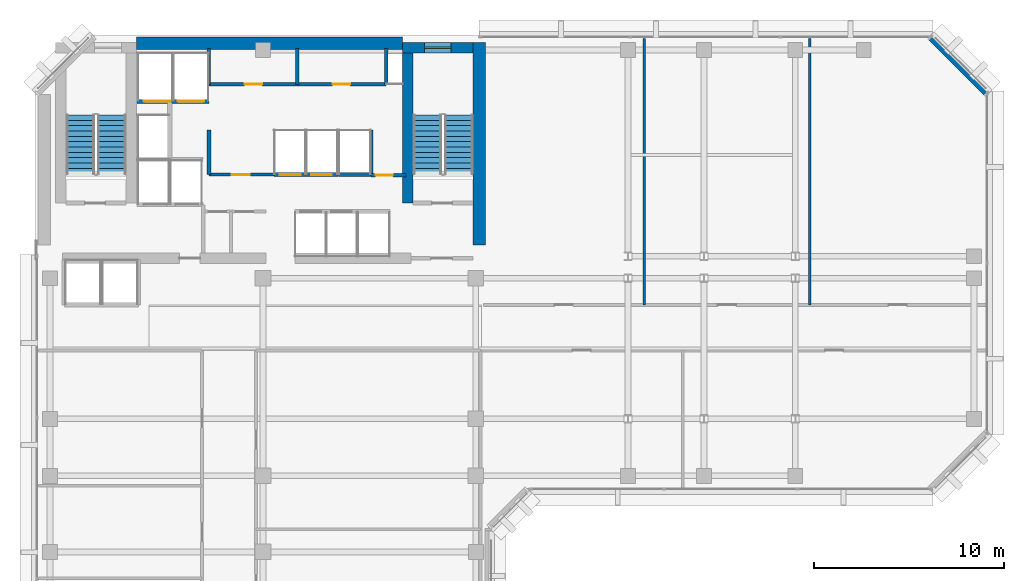
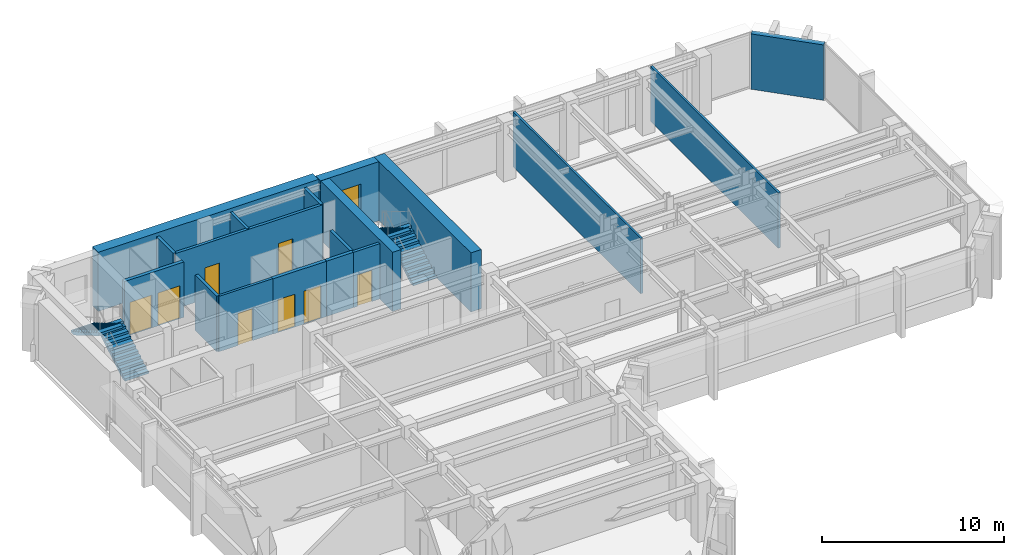
# One storey, part 8 of 12: 18 walls, 8 doors, 4 stair flights, 1 window, 9 openings, 2 elements without a shape of their own.
"""IFC4 building model written with IfcOpenShell, lengths in metres."""

from ifc_helpers import new_model, si_unit, direction, frame, frame_2d, origin, place, context, subcontext, project, spatial, polyline, rectangle, outline, extrude, material, layer, layer_set, type_object, element, fill, aggregate, save


model = new_model("IFC4")

# Units and contexts
model_context = context("Model", 3, precision=1e-05, world=origin(), true_north=direction((0.0, 1.0)))
body_context = subcontext(model_context, "Body", "Model", "MODEL_VIEW")
ifc_project = project(units=[si_unit("LENGTHUNIT", "METRE"), si_unit("AREAUNIT", "SQUARE_METRE"), si_unit("VOLUMEUNIT", "CUBIC_METRE"), si_unit("PLANEANGLEUNIT", "RADIAN"), si_unit("MASSUNIT", "GRAM", prefix="KILO")], contexts=[model_context])

# Site, building, storey
site_placement = place(None, origin())
site = spatial("IfcSite", under=ifc_project, at=site_placement, CompositionType="ELEMENT")
building_placement = place(site_placement, origin())
building = spatial("IfcBuilding", under=site, at=building_placement, Name="Kefirva Bronze Tower", CompositionType="ELEMENT")
storey_placement = place(building_placement, frame((0.0, 0.0, 199.320068359375)))
storey = spatial("IfcBuildingStorey", under=building, at=storey_placement, Name="L48", CompositionType="ELEMENT", Elevation=199.320068359375)

# Walls
ifc_material_1 = material(Name="Gypsum acoustic partition")
ifc_layer_1 = layer(ifc_material_1, 0.1298828125, Name="Gypsum acoustic partition")
ifc_layer_set_1 = layer_set([ifc_layer_1], Name="Gypsum acoustic partition")
wall_type_1 = type_object("IfcWallType", Name="Acoustic Office Partition 130mm", PredefinedType="PARTITIONING", material=ifc_layer_set_1)
for number, where, z_axis, x_axis, name in (
    (1, (32.05126953125, 31.800048828125, 0.0), (0.0, 0.0, 1.0), (0.0, 1.0, 0.0), "L48 Partition W-L48-END1"),
    (2, (40.7666015625, 31.800048828125, 0.0), (0.0, 0.0, 1.0), (0.0, 1.0, 0.0), "L48 Partition W-L48-END2"),
):
    element("IfcWall", number, at=place(storey_placement, frame(where, z_axis=z_axis, x_axis=x_axis)), inside=storey, type_object=wall_type_1, Name=name, PredefinedType="PARTITIONING", context=body_context, shape_type="SweptSolid", body=[
        extrude(rectangle(XDim=14.010009765625, YDim=0.1298828125, at=frame_2d((7.0048828125, 0.0))), origin(), (0.0, 0.0, 1.0), 3.7099609375),
    ])

# Wall, openings, doors
ifc_material_2 = material(Name="Gypsum fireboard shaftwall")
ifc_layer_2 = layer(ifc_material_2, 0.219970703125, Name="Gypsum fireboard shaftwall")
ifc_layer_set_2 = layer_set([ifc_layer_2], Name="Gypsum fireboard shaftwall")
wall_type_2 = type_object("IfcWallType", Name="Fire-Rated Shaft Enclosure Wall 220mm", PredefinedType="PARTITIONING", material=ifc_layer_set_2)
wall_1_placement = place(storey_placement, frame((5.3798828125, 42.5, 0.0), z_axis=(0.0, 0.0, 1.0), x_axis=(1.0, 0.0, 0.0)))
wall_1 = element("IfcWall", 3, at=wall_1_placement, inside=storey, type_object=wall_type_2, Name="L48 Partition W-L48-SVS", PredefinedType="PARTITIONING", context=body_context, shape_type="SweptSolid", body=[
    extrude(rectangle(XDim=3.77001953125, YDim=0.219970703125, at=frame_2d((1.885009765625, 0.0))), origin(), (0.0, 0.0, 1.0), 3.7099609375),
])
opening_1_placement = place(wall_1_placement, frame((1.75, 0.0, 0.0), z_axis=(0.0, 0.0, 1.0), x_axis=(-1.0, 0.0, 0.0)))
opening_1 = element("IfcOpeningElement", 4, at=opening_1_placement, cuts=wall_1, Name="Opening L48-LD-SV1", PredefinedType="OPENING", context=body_context, shape_type="SweptSolid", body=[
    extrude(rectangle(XDim=1.39990234375, YDim=2.199951171875, at=frame_2d((0.699951171875, 1.10009765625))), frame((0.0, 0.1201171875, 0.0), z_axis=(0.0, -1.0, 0.0), x_axis=(1.0, 0.0, 0.0)), (0.0, 0.0, 1.0), 0.239990234375),
])
opening_2_placement = place(wall_1_placement, frame((3.52978515625, 0.0, 0.0), z_axis=(0.0, 0.0, 1.0), x_axis=(-1.0, 0.0, 0.0)))
opening_2 = element("IfcOpeningElement", 5, at=opening_2_placement, cuts=wall_1, Name="Opening L48-LD-SV2", PredefinedType="OPENING", context=body_context, shape_type="SweptSolid", body=[
    extrude(rectangle(XDim=1.39990234375, YDim=2.199951171875, at=frame_2d((0.699951171875, 1.10009765625))), frame((0.0, 0.1201171875, 0.0), z_axis=(0.0, -1.0, 0.0), x_axis=(1.0, 0.0, 0.0)), (0.0, 0.0, 1.0), 0.239990234375),
])
ifc_material_3 = material(Name="Stainless steel 316", Category="steel")
door_type_1 = type_object("IfcDoorType", Name="Goods Lift Bi-Parting Sliding Door 1400x2200", OperationType="SLIDING_TO_LEFT", PredefinedType="DOOR", material=ifc_material_3)
door_1_placement = place(opening_1_placement, origin())
door_1 = element("IfcDoor", 6, at=door_1_placement, inside=storey, type_object=door_type_1, Name="Door L48-LD-SV1", OperationType="SLIDING_TO_LEFT", OverallHeight=2.199951171875, OverallWidth=1.39990234375, PredefinedType="DOOR", context=body_context, shape_type="SweptSolid", body=[
    extrude(rectangle(XDim=1.39990234375, YDim=2.199951171875, at=frame_2d((0.699951171875, 1.10009765625))), frame((0.0, 0.02490234375, 0.0), z_axis=(0.0, -1.0, 0.0), x_axis=(1.0, 0.0, 0.0)), (0.0, 0.0, 1.0), 0.050048828125),
])
fill(opening_1, door_1)
door_2_placement = place(opening_2_placement, origin())
door_2 = element("IfcDoor", 7, at=door_2_placement, inside=storey, type_object=door_type_1, Name="Door L48-LD-SV2", OperationType="SLIDING_TO_LEFT", OverallHeight=2.199951171875, OverallWidth=1.39990234375, PredefinedType="DOOR", context=body_context, shape_type="SweptSolid", body=[
    extrude(rectangle(XDim=1.39990234375, YDim=2.199951171875, at=frame_2d((0.699951171875, 1.10009765625))), frame((0.0, 0.02490234375, 0.0), z_axis=(0.0, -1.0, 0.0), x_axis=(1.0, 0.0, 0.0)), (0.0, 0.0, 1.0), 0.050048828125),
])
fill(opening_2, door_2)

# Walls
for number, where, z_axis, x_axis, name in (
    (8, (9.159912109375, 38.64990234375, 0.0), (0.0, 0.0, 1.0), (0.0, 1.0, 0.0), "L48 Partition W-L48-LP3W"),
    (9, (17.679931640625, 38.64990234375, 0.0), (0.0, 0.0, 1.0), (0.0, 1.0, 0.0), "L48 Partition W-L48-HP2E"),
):
    element("IfcWall", number, at=place(storey_placement, frame(where, z_axis=z_axis, x_axis=x_axis)), inside=storey, type_object=wall_type_2, Name=name, PredefinedType="PARTITIONING", context=body_context, shape_type="SweptSolid", body=[
        extrude(rectangle(XDim=2.35009765625, YDim=0.199951171875, at=frame_2d((1.175048828125, 0.0))), origin(), (0.0, 0.0, 1.0), 3.7099609375),
    ])

# Wall, openings, doors
wall_2_placement = place(storey_placement, frame((12.580078125, 38.64990234375, 0.0), z_axis=(0.0, 0.0, 1.0), x_axis=(1.0, 0.0, 0.0)))
wall_2 = element("IfcWall", 10, at=wall_2_placement, inside=storey, type_object=wall_type_2, Name="L48 Partition W-L48-MPN", PredefinedType="PARTITIONING", context=body_context, shape_type="SweptSolid", body=[
    extrude(rectangle(XDim=3.3798828125, YDim=0.219970703125, at=frame_2d((1.68994140625, 0.0))), origin(), (0.0, 0.0, 1.0), 3.7099609375),
])
opening_3_placement = place(wall_2_placement, frame((0.300048828125, 0.0, 0.0)))
opening_3 = element("IfcOpeningElement", 11, at=opening_3_placement, cuts=wall_2, Name="Opening L48-LD-MP3", PredefinedType="OPENING", context=body_context, shape_type="SweptSolid", body=[
    extrude(rectangle(XDim=1.10009765625, YDim=2.199951171875, at=frame_2d((0.550048828125, 1.10009765625))), frame((0.0, 0.1201171875, 0.0), z_axis=(0.0, -1.0, 0.0), x_axis=(1.0, 0.0, 0.0)), (0.0, 0.0, 1.0), 0.239990234375),
])
opening_4_placement = place(wall_2_placement, frame((1.949951171875, 0.0, 0.0)))
opening_4 = element("IfcOpeningElement", 12, at=opening_4_placement, cuts=wall_2, Name="Opening L48-LD-MP4", PredefinedType="OPENING", context=body_context, shape_type="SweptSolid", body=[
    extrude(rectangle(XDim=1.10009765625, YDim=2.199951171875, at=frame_2d((0.550048828125, 1.10009765625))), frame((0.0, 0.1201171875, 0.0), z_axis=(0.0, -1.0, 0.0), x_axis=(1.0, 0.0, 0.0)), (0.0, 0.0, 1.0), 0.239990234375),
])
door_type_2 = type_object("IfcDoorType", Name="Passenger Lift Sliding Landing Door 1100x2200", OperationType="SLIDING_TO_LEFT", PredefinedType="DOOR", material=ifc_material_3)
door_3_placement = place(opening_3_placement, origin())
door_3 = element("IfcDoor", 13, at=door_3_placement, inside=storey, type_object=door_type_2, Name="Door L48-LD-MP3", OperationType="SLIDING_TO_RIGHT", OverallHeight=2.199951171875, OverallWidth=1.10009765625, PredefinedType="DOOR", context=body_context, shape_type="SweptSolid", body=[
    extrude(rectangle(XDim=1.10009765625, YDim=2.199951171875, at=frame_2d((0.550048828125, 1.10009765625))), frame((0.0, 0.02490234375, 0.0), z_axis=(0.0, -1.0, 0.0), x_axis=(1.0, 0.0, 0.0)), (0.0, 0.0, 1.0), 0.050048828125),
])
fill(opening_3, door_3)
door_4_placement = place(opening_4_placement, origin())
door_4 = element("IfcDoor", 14, at=door_4_placement, inside=storey, type_object=door_type_2, Name="Door L48-LD-MP4", OperationType="SLIDING_TO_RIGHT", OverallHeight=2.199951171875, OverallWidth=1.10009765625, PredefinedType="DOOR", context=body_context, shape_type="SweptSolid", body=[
    extrude(rectangle(XDim=1.10009765625, YDim=2.199951171875, at=frame_2d((0.550048828125, 1.10009765625))), frame((0.0, 0.02490234375, 0.0), z_axis=(0.0, -1.0, 0.0), x_axis=(1.0, 0.0, 0.0)), (0.0, 0.0, 1.0), 0.050048828125),
])
fill(opening_4, door_4)

# Wall
wall_3_placement = place(storey_placement, frame((15.97998046875, 38.64990234375, 0.0), z_axis=(0.0, 0.0, 1.0), x_axis=(1.0, 0.0, 0.0)))
element("IfcWall", 15, at=wall_3_placement, inside=storey, type_object=wall_type_2, Name="L48 Partition W-L48-HPN", PredefinedType="PARTITIONING", context=body_context, shape_type="SweptSolid", body=[
    extrude(rectangle(XDim=1.719970703125, YDim=0.219970703125, at=frame_2d((0.85986328125, 0.0))), origin(), (0.0, 0.0, 1.0), 3.7099609375),
])

# Wall, opening, door
ifc_material_4 = material(Name="Gypsum fireboard barrier")
ifc_layer_3 = layer(ifc_material_4, 0.199951171875, Name="Gypsum fireboard barrier")
ifc_layer_set_3 = layer_set([ifc_layer_3], Name="Gypsum fireboard barrier")
wall_type_3 = type_object("IfcWallType", Name="Firefighting Lobby Barrier Wall 200mm", PredefinedType="PARTITIONING", material=ifc_layer_set_3)
wall_4_placement = place(storey_placement, frame((17.679931640625, 38.6201171875, 0.0), z_axis=(0.0, 0.0, 1.0), x_axis=(1.0, 0.0, 0.0)))
wall_4 = element("IfcWall", 16, at=wall_4_placement, inside=storey, type_object=wall_type_3, Name="L48 Partition W-L48-CPASS", PredefinedType="PARTITIONING", context=body_context, shape_type="SweptSolid", body=[
    extrude(rectangle(XDim=1.840087890625, YDim=0.179931640625, at=frame_2d((0.919921875, 0.0))), origin(), (0.0, 0.0, 1.0), 3.7099609375),
])
opening_5_placement = place(wall_4_placement, frame((0.239990234375, 0.0, 0.0)))
opening_5 = element("IfcOpeningElement", 17, at=opening_5_placement, cuts=wall_4, Name="Opening L48-D-CPAS", PredefinedType="OPENING", context=body_context, shape_type="SweptSolid", body=[
    extrude(rectangle(XDim=0.919921875, YDim=2.10009765625, at=frame_2d((0.4599609375, 1.050048828125))), frame((0.0, 0.10009765625, 0.0), z_axis=(0.0, -1.0, 0.0), x_axis=(1.0, 0.0, 0.0)), (0.0, 0.0, 1.0), 0.199951171875),
])
ifc_material_5 = material(Name="Moisture-resistant timber", Category="wood")
door_type_3 = type_object("IfcDoorType", Name="Accessible Sanitary & WC Door 920x2100", OperationType="NOTDEFINED", PredefinedType="DOOR", material=ifc_material_5)
door_5_placement = place(opening_5_placement, origin())
door_5 = element("IfcDoor", 18, at=door_5_placement, inside=storey, type_object=door_type_3, Name="Door L48-D-CPAS", OperationType="SINGLE_SWING_RIGHT", OverallHeight=2.10009765625, OverallWidth=0.919921875, PredefinedType="DOOR", context=body_context, shape_type="SweptSolid", body=[
    extrude(rectangle(XDim=0.919921875, YDim=2.10009765625, at=frame_2d((0.4599609375, 1.050048828125))), frame((0.0, 0.02490234375, 0.0), z_axis=(0.0, -1.0, 0.0), x_axis=(1.0, 0.0, 0.0)), (0.0, 0.0, 1.0), 0.050048828125),
])
fill(opening_5, door_5)

# Wall
ifc_material_6 = material(Name="Precast concrete C40/50", Category="concrete")
ifc_layer_4 = layer(ifc_material_6, 0.320068359375, Name="Precast concrete C40/50")
ifc_layer_set_4 = layer_set([ifc_layer_4], Name="Precast concrete C40/50")
wall_type_4 = type_object("IfcWallType", Name="Precast Insulated Exterior Wall 320mm", PredefinedType="SOLIDWALL", material=ifc_layer_set_4)
wall_5_placement = place(storey_placement, frame((50.048095703125, 42.92578125, 0.0), z_axis=(0.0, 0.0, 1.0), x_axis=(-0.707136318428, 0.707077242712, 0.0)))
element("IfcWall", 19, at=wall_5_placement, inside=storey, type_object=wall_type_4, Name="L48 Exterior Facade Wall 8", PredefinedType="SOLIDWALL", context=body_context, shape_type="SweptSolid", body=[
    extrude(rectangle(XDim=4.132568359375, YDim=0.320068359375, at=frame_2d((2.06640625, 0.0))), origin(), (0.0, 0.0, 1.0), 3.7099609375),
])

# Wall, opening, door
ifc_layer_5 = layer(ifc_material_1, 0.159912109375, Name="Gypsum acoustic partition")
ifc_layer_set_5 = layer_set([ifc_layer_5], Name="Gypsum acoustic partition")
wall_type_5 = type_object("IfcWallType", Name="Protected Corridor Partition 160mm", PredefinedType="PARTITIONING", material=ifc_layer_set_5)
wall_6_placement = place(storey_placement, frame((9.159912109375, 38.64990234375, 0.0), z_axis=(0.0, 0.0, 1.0), x_axis=(1.0, 0.0, 0.0)))
wall_6 = element("IfcWall", 20, at=wall_6_placement, inside=storey, type_object=wall_type_5, Name="L48 Partition W-L48-RECLP2", PredefinedType="PARTITIONING", context=body_context, shape_type="SweptSolid", body=[
    extrude(rectangle(XDim=3.420166015625, YDim=0.159912109375, at=frame_2d((1.7099609375, 0.0))), origin(), (0.0, 0.0, 1.0), 3.7099609375),
])
opening_6_placement = place(wall_6_placement, frame((2.14990234375, 0.0, 0.0), z_axis=(0.0, 0.0, 1.0), x_axis=(-1.0, 0.0, 0.0)))
opening_6 = element("IfcOpeningElement", 21, at=opening_6_placement, cuts=wall_6, Name="Opening L48-D-RECLP2", PredefinedType="OPENING", context=body_context, shape_type="SweptSolid", body=[
    extrude(rectangle(XDim=0.949951171875, YDim=2.14990234375, at=frame_2d((0.47509765625, 1.074951171875))), frame((0.0, 0.08984375, 0.0), z_axis=(0.0, -1.0, 0.0), x_axis=(1.0, 0.0, 0.0)), (0.0, 0.0, 1.0), 0.179931640625),
])
ifc_material_7 = material(Name="Acoustic hardwood oak", Category="wood")
door_type_4 = type_object("IfcDoorType", Name="Office & Meeting Room Door 950x2150", OperationType="NOTDEFINED", PredefinedType="DOOR", material=ifc_material_7)
door_6_placement = place(opening_6_placement, origin())
door_6 = element("IfcDoor", 22, at=door_6_placement, inside=storey, type_object=door_type_4, Name="Door L48-D-RECLP2", OperationType="SINGLE_SWING_LEFT", OverallHeight=2.14990234375, OverallWidth=0.949951171875, PredefinedType="DOOR", context=body_context, shape_type="SweptSolid", body=[
    extrude(rectangle(XDim=0.949951171875, YDim=2.14990234375, at=frame_2d((0.47509765625, 1.074951171875))), frame((0.0, 0.02490234375, 0.0), z_axis=(0.0, -1.0, 0.0), x_axis=(1.0, 0.0, 0.0)), (0.0, 0.0, 1.0), 0.050048828125),
])
fill(opening_6, door_6)

# Wall, opening, window
ifc_material_8 = material(Name="Concrete C50/60", Category="concrete")
ifc_layer_6 = layer(ifc_material_8, 0.550048828125, Name="Concrete C50/60")
ifc_layer_set_6 = layer_set([ifc_layer_6], Name="Concrete C50/60")
wall_type_6 = type_object("IfcWallType", Name="RC Rear Core Exterior Wall 550mm", PredefinedType="SHEAR", material=ifc_layer_set_6)
wall_7_placement = place(storey_placement, frame((19.35009765625, 45.320068359375, 0.0), z_axis=(0.0, 0.0, 1.0), x_axis=(1.0, 0.0, 0.0)))
wall_7 = element("IfcWall", 23, at=wall_7_placement, inside=storey, type_object=wall_type_6, Name="L48 Stair 2 North Shear Wall", PredefinedType="SHEAR", context=body_context, shape_type="SweptSolid", body=[
    extrude(rectangle(XDim=3.68994140625, YDim=0.550048828125, at=frame_2d((1.844970703125, 0.0))), origin(), (0.0, 0.0, 1.0), 3.9599609375),
])
opening_7_placement = place(wall_7_placement, frame((1.14990234375, 0.0, 1.050048828125)))
opening_7 = element("IfcOpeningElement", 24, at=opening_7_placement, cuts=wall_7, Name="Opening WN-03", PredefinedType="OPENING", context=body_context, shape_type="SweptSolid", body=[
    extrude(rectangle(XDim=1.39990234375, YDim=1.800048828125, at=frame_2d((0.699951171875, 0.89990234375))), frame((0.0, 0.28515625, 0.0), z_axis=(0.0, -1.0, 0.0), x_axis=(1.0, 0.0, 0.0)), (0.0, 0.0, 1.0), 0.570068359375),
])
ifc_material_9 = material(Name="Laminated low-E double glazing", Category="glass")
window_type = type_object("IfcWindowType", Name="Rear-Core Stair Daylight Window 1400x1800", PartitioningType="SINGLE_PANEL", PredefinedType="WINDOW", material=ifc_material_9)
window_placement = place(opening_7_placement, origin())
window = element("IfcWindow", 25, at=window_placement, inside=storey, type_object=window_type, Name="L48 Stair 2 Daylight Window", OverallHeight=1.800048828125, OverallWidth=1.39990234375, PartitioningType="SINGLE_PANEL", PredefinedType="WINDOW", context=body_context, shape_type="SweptSolid", body=[
    extrude(rectangle(XDim=1.39990234375, YDim=1.800048828125, at=frame_2d((0.699951171875, 0.89990234375))), frame((0.0, 0.030029296875, 0.0), z_axis=(0.0, -1.0, 0.0), x_axis=(1.0, 0.0, 0.0)), (0.0, 0.0, 1.0), 0.06005859375),
])
fill(opening_7, window)

# Walls
ifc_layer_7 = layer(ifc_material_8, 0.64990234375, Name="Concrete C50/60")
ifc_layer_set_7 = layer_set([ifc_layer_7], Name="Concrete C50/60")
wall_type_7 = type_object("IfcWallType", Name="RC Rear Core Exterior Wall 650mm", PredefinedType="SHEAR", material=ifc_layer_set_7)
wall_8_placement = place(storey_placement, frame((5.360107421875, 45.550048828125, 0.0), z_axis=(0.0, 0.0, 1.0), x_axis=(1.0, 0.0, 0.0)))
element("IfcWall", 26, at=wall_8_placement, inside=storey, type_object=wall_type_7, Name="L48 Rear Core North Shear Wall", PredefinedType="SHEAR", context=body_context, shape_type="SweptSolid", body=[
    extrude(rectangle(XDim=13.97998046875, YDim=0.64990234375, at=frame_2d((6.989990234375, 0.0))), origin(), (0.0, 0.0, 1.0), 3.9599609375),
])
ifc_layer_8 = layer(ifc_material_8, 0.550048828125, Name="Concrete C50/60")
ifc_layer_set_8 = layer_set([ifc_layer_8], Name="Concrete C50/60")
wall_type_8 = type_object("IfcWallType", Name="RC Rear Core Interior Wall 550mm", PredefinedType="SHEAR", material=ifc_layer_set_8)
wall_9_placement = place(storey_placement, frame((19.6201171875, 37.14990234375, 0.0), z_axis=(0.0, 0.0, 1.0), x_axis=(0.0, 1.0, 0.0)))
element("IfcWall", 27, at=wall_9_placement, inside=storey, type_object=wall_type_8, Name="L48 Stair 2 West Shear Wall", PredefinedType="SHEAR", context=body_context, shape_type="SweptSolid", body=[
    extrude(rectangle(XDim=7.89013671875, YDim=0.550048828125, at=frame_2d((3.945068359375, 0.0))), origin(), (0.0, 0.0, 1.0), 3.9599609375),
])
ifc_layer_9 = layer(ifc_material_8, 0.64990234375, Name="Concrete C50/60")
ifc_layer_set_9 = layer_set([ifc_layer_9], Name="Concrete C50/60")
wall_type_9 = type_object("IfcWallType", Name="RC Rear Core Interior Wall 650mm", PredefinedType="SHEAR", material=ifc_layer_set_9)
wall_10_placement = place(storey_placement, frame((23.375, 34.949951171875, 0.0), z_axis=(0.0, 0.0, 1.0), x_axis=(0.0, 1.0, 0.0)))
element("IfcWall", 28, at=wall_10_placement, inside=storey, type_object=wall_type_9, Name="L48 Rear Core East Shear Wall", PredefinedType="SHEAR", context=body_context, shape_type="SweptSolid", body=[
    extrude(rectangle(XDim=10.64013671875, YDim=0.64990234375, at=frame_2d((5.320068359375, 0.0))), origin(), (0.0, 0.0, 1.0), 3.9599609375),
])

# Wall, openings, doors
ifc_material_10 = material(Name="Moisture-resistant partition")
ifc_layer_10 = layer(ifc_material_10, 0.179931640625, Name="Moisture-resistant partition")
ifc_layer_set_10 = layer_set([ifc_layer_10], Name="Moisture-resistant partition")
wall_type_10 = type_object("IfcWallType", Name="Sanitary Plumbing Chase Wall 180mm", PredefinedType="PLUMBINGWALL", material=ifc_layer_set_10)
wall_11_placement = place(storey_placement, frame((9.14990234375, 43.39990234375, 0.0), z_axis=(0.0, 0.0, 1.0), x_axis=(1.0, 0.0, 0.0)))
wall_11 = element("IfcWall", 29, at=wall_11_placement, inside=storey, type_object=wall_type_10, Name="L48 Partition W-L48-SVCS", PredefinedType="PLUMBINGWALL", context=body_context, shape_type="SweptSolid", body=[
    extrude(rectangle(XDim=9.330078125, YDim=0.179931640625, at=frame_2d((4.6650390625, 0.0))), origin(), (0.0, 0.0, 1.0), 3.7099609375),
])
opening_8_placement = place(wall_11_placement, frame((1.8798828125, 0.0, 0.0)))
opening_8 = element("IfcOpeningElement", 30, at=opening_8_placement, cuts=wall_11, Name="Opening L48-D-CSVC1", PredefinedType="OPENING", context=body_context, shape_type="SweptSolid", body=[
    extrude(rectangle(XDim=0.919921875, YDim=2.10009765625, at=frame_2d((0.4599609375, 1.050048828125))), frame((0.0, 0.10009765625, 0.0), z_axis=(0.0, -1.0, 0.0), x_axis=(1.0, 0.0, 0.0)), (0.0, 0.0, 1.0), 0.199951171875),
])
opening_9_placement = place(wall_11_placement, frame((6.514892578125, 0.0, 0.0)))
opening_9 = element("IfcOpeningElement", 31, at=opening_9_placement, cuts=wall_11, Name="Opening L48-D-CSVC2", PredefinedType="OPENING", context=body_context, shape_type="SweptSolid", body=[
    extrude(rectangle(XDim=0.919921875, YDim=2.10009765625, at=frame_2d((0.4599609375, 1.050048828125))), frame((0.0, 0.10009765625, 0.0), z_axis=(0.0, -1.0, 0.0), x_axis=(1.0, 0.0, 0.0)), (0.0, 0.0, 1.0), 0.199951171875),
])
door_7_placement = place(opening_8_placement, origin())
door_7 = element("IfcDoor", 32, at=door_7_placement, inside=storey, type_object=door_type_3, Name="Door L48-D-CSVC1", OperationType="SINGLE_SWING_RIGHT", OverallHeight=2.10009765625, OverallWidth=0.919921875, PredefinedType="DOOR", context=body_context, shape_type="SweptSolid", body=[
    extrude(rectangle(XDim=0.919921875, YDim=2.10009765625, at=frame_2d((0.4599609375, 1.050048828125))), frame((0.0, 0.02490234375, 0.0), z_axis=(0.0, -1.0, 0.0), x_axis=(1.0, 0.0, 0.0)), (0.0, 0.0, 1.0), 0.050048828125),
])
fill(opening_8, door_7)
door_8_placement = place(opening_9_placement, origin())
door_8 = element("IfcDoor", 33, at=door_8_placement, inside=storey, type_object=door_type_3, Name="Door L48-D-CSVC2", OperationType="SINGLE_SWING_LEFT", OverallHeight=2.10009765625, OverallWidth=0.919921875, PredefinedType="DOOR", context=body_context, shape_type="SweptSolid", body=[
    extrude(rectangle(XDim=0.919921875, YDim=2.10009765625, at=frame_2d((0.4599609375, 1.050048828125))), frame((0.0, 0.02490234375, 0.0), z_axis=(0.0, -1.0, 0.0), x_axis=(1.0, 0.0, 0.0)), (0.0, 0.0, 1.0), 0.050048828125),
])
fill(opening_9, door_8)

# Walls
for number, where, z_axis, x_axis, name in (
    (34, (9.14990234375, 43.39990234375, 0.0), (0.0, 0.0, 1.0), (0.0, 1.0, 0.0), "L48 Partition W-L48-SVCW"),
    (35, (18.47998046875, 43.39990234375, 0.0), (0.0, 0.0, 1.0), (0.0, 1.0, 0.0), "L48 Partition W-L48-SVCE"),
    (36, (13.800048828125, 43.39990234375, 0.0), (0.0, 0.0, 1.0), (0.0, 1.0, 0.0), "L48 Partition W-L48-CSVD-1"),
):
    element("IfcWall", number, at=place(storey_placement, frame(where, z_axis=z_axis, x_axis=x_axis)), inside=storey, type_object=wall_type_10, Name=name, PredefinedType="PLUMBINGWALL", context=body_context, shape_type="SweptSolid", body=[
        extrude(rectangle(XDim=1.880126953125, YDim=0.179931640625, at=frame_2d((0.93994140625, 0.0))), origin(), (0.0, 0.0, 1.0), 3.7099609375),
    ])

# Stair, stair flights
ifc_material_11 = material(Name="Concrete C40/50", Category="concrete")
stair_type = type_object("IfcStairType", Name="RC Dogleg Protected Stair 24R", PredefinedType="HALF_TURN_STAIR", material=ifc_material_11)
stair_1_placement = place(storey_placement, origin())
stair_1 = element("IfcStair", 37, at=stair_1_placement, inside=storey, type_object=stair_type, Name="L48 Protected Exit Stair 1", PredefinedType="HALF_TURN_STAIR")
stair_flight_type = type_object("IfcStairFlightType", Name="RC Straight Stair Flight 24R", PredefinedType="STRAIGHT", material=ifc_material_11)
stair_flight_1_placement = place(storey_placement, frame((4.050048828125, 38.699951171875, 0.0), z_axis=(0.0, 0.0, 1.0), x_axis=(0.0, 1.0, 0.0)))
stair_flight_1 = element("IfcStairFlight", 38, at=stair_flight_1_placement, type_object=stair_flight_type, Name="ST-1 flight 1", NumberOfRisers=12, NumberOfTreads=11, PredefinedType="STRAIGHT", RiserHeight=0.165, TreadLength=0.28, context=body_context, shape_type="SweptSolid", body=[
    extrude(outline(polyline([(0.0, 0.0), (0.0, 0.1650390625), (0.280029296875, 0.1650390625), (0.280029296875, 0.330078125), (0.56005859375, 0.330078125), (0.56005859375, 0.4951171875), (0.840087890625, 0.4951171875), (0.840087890625, 0.659912109375), (1.1201171875, 0.659912109375), (1.1201171875, 0.824951171875), (1.39990234375, 0.824951171875), (1.39990234375, 0.989990234375), (1.679931640625, 0.989990234375), (1.679931640625, 1.155029296875), (1.9599609375, 1.155029296875), (1.9599609375, 1.320068359375), (2.239990234375, 1.320068359375), (2.239990234375, 1.485107421875), (2.52001953125, 1.485107421875), (2.52001953125, 1.64990234375), (2.800048828125, 1.64990234375), (2.800048828125, 1.81494140625), (3.080078125, 1.81494140625), (3.080078125, 1.97998046875), (3.080078125, 1.64111328125), (0.295166015625, 0.0), (0.0, 0.0)])), frame((0.0, 0.75, 0.0), z_axis=(0.0, -1.0, 0.0), x_axis=(1.0, 0.0, 0.0)), (0.0, 0.0, 1.0), 1.5),
])
stair_flight_2_placement = place(storey_placement, frame((2.39990234375, 41.780029296875, 1.97998046875), z_axis=(0.0, 0.0, 1.0), x_axis=(0.0, -1.0, 0.0)))
stair_flight_2 = element("IfcStairFlight", 39, at=stair_flight_2_placement, type_object=stair_flight_type, Name="ST-1 flight 2", NumberOfRisers=12, NumberOfTreads=11, PredefinedType="STRAIGHT", RiserHeight=0.165, TreadLength=0.28, context=body_context, shape_type="SweptSolid", body=[
    extrude(outline(polyline([(0.0, 0.0), (0.0, 0.1650390625), (0.280029296875, 0.1650390625), (0.280029296875, 0.330078125), (0.56005859375, 0.330078125), (0.56005859375, 0.4951171875), (0.840087890625, 0.4951171875), (0.840087890625, 0.659912109375), (1.1201171875, 0.659912109375), (1.1201171875, 0.824951171875), (1.39990234375, 0.824951171875), (1.39990234375, 0.989990234375), (1.679931640625, 0.989990234375), (1.679931640625, 1.155029296875), (1.9599609375, 1.155029296875), (1.9599609375, 1.320068359375), (2.239990234375, 1.320068359375), (2.239990234375, 1.485107421875), (2.52001953125, 1.485107421875), (2.52001953125, 1.64990234375), (2.800048828125, 1.64990234375), (2.800048828125, 1.81494140625), (3.080078125, 1.81494140625), (3.080078125, 1.97998046875), (3.080078125, 1.64111328125), (0.295166015625, 0.0), (0.0, 0.0)])), frame((0.0, 0.75, 0.0), z_axis=(0.0, -1.0, 0.0), x_axis=(1.0, 0.0, 0.0)), (0.0, 0.0, 1.0), 1.5),
])
aggregate(stair_1, [stair_flight_1, stair_flight_2])

stair_2_placement = place(storey_placement, origin())
stair_2 = element("IfcStair", 40, at=stair_2_placement, inside=storey, type_object=stair_type, Name="L48 Protected Exit Stair 2", PredefinedType="HALF_TURN_STAIR")
stair_flight_3_placement = place(storey_placement, frame((22.300048828125, 38.699951171875, 0.0), z_axis=(0.0, 0.0, 1.0), x_axis=(0.0, 1.0, 0.0)))
stair_flight_3 = element("IfcStairFlight", 41, at=stair_flight_3_placement, type_object=stair_flight_type, Name="ST-2 flight 1", NumberOfRisers=12, NumberOfTreads=11, PredefinedType="STRAIGHT", RiserHeight=0.165, TreadLength=0.28, context=body_context, shape_type="SweptSolid", body=[
    extrude(outline(polyline([(0.0, 0.0), (0.0, 0.1650390625), (0.280029296875, 0.1650390625), (0.280029296875, 0.330078125), (0.56005859375, 0.330078125), (0.56005859375, 0.4951171875), (0.840087890625, 0.4951171875), (0.840087890625, 0.659912109375), (1.1201171875, 0.659912109375), (1.1201171875, 0.824951171875), (1.39990234375, 0.824951171875), (1.39990234375, 0.989990234375), (1.679931640625, 0.989990234375), (1.679931640625, 1.155029296875), (1.9599609375, 1.155029296875), (1.9599609375, 1.320068359375), (2.239990234375, 1.320068359375), (2.239990234375, 1.485107421875), (2.52001953125, 1.485107421875), (2.52001953125, 1.64990234375), (2.800048828125, 1.64990234375), (2.800048828125, 1.81494140625), (3.080078125, 1.81494140625), (3.080078125, 1.97998046875), (3.080078125, 1.64111328125), (0.295166015625, 0.0), (0.0, 0.0)])), frame((0.0, 0.75, 0.0), z_axis=(0.0, -1.0, 0.0), x_axis=(1.0, 0.0, 0.0)), (0.0, 0.0, 1.0), 1.5),
])
stair_flight_4_placement = place(storey_placement, frame((20.64990234375, 41.780029296875, 1.97998046875), z_axis=(0.0, 0.0, 1.0), x_axis=(0.0, -1.0, 0.0)))
stair_flight_4 = element("IfcStairFlight", 42, at=stair_flight_4_placement, type_object=stair_flight_type, Name="ST-2 flight 2", NumberOfRisers=12, NumberOfTreads=11, PredefinedType="STRAIGHT", RiserHeight=0.165, TreadLength=0.28, context=body_context, shape_type="SweptSolid", body=[
    extrude(outline(polyline([(0.0, 0.0), (0.0, 0.1650390625), (0.280029296875, 0.1650390625), (0.280029296875, 0.330078125), (0.56005859375, 0.330078125), (0.56005859375, 0.4951171875), (0.840087890625, 0.4951171875), (0.840087890625, 0.659912109375), (1.1201171875, 0.659912109375), (1.1201171875, 0.824951171875), (1.39990234375, 0.824951171875), (1.39990234375, 0.989990234375), (1.679931640625, 0.989990234375), (1.679931640625, 1.155029296875), (1.9599609375, 1.155029296875), (1.9599609375, 1.320068359375), (2.239990234375, 1.320068359375), (2.239990234375, 1.485107421875), (2.52001953125, 1.485107421875), (2.52001953125, 1.64990234375), (2.800048828125, 1.64990234375), (2.800048828125, 1.81494140625), (3.080078125, 1.81494140625), (3.080078125, 1.97998046875), (3.080078125, 1.64111328125), (0.295166015625, 0.0), (0.0, 0.0)])), frame((0.0, 0.75, 0.0), z_axis=(0.0, -1.0, 0.0), x_axis=(1.0, 0.0, 0.0)), (0.0, 0.0, 1.0), 1.5),
])
aggregate(stair_2, [stair_flight_3, stair_flight_4])

save(model, "model.ifc")
